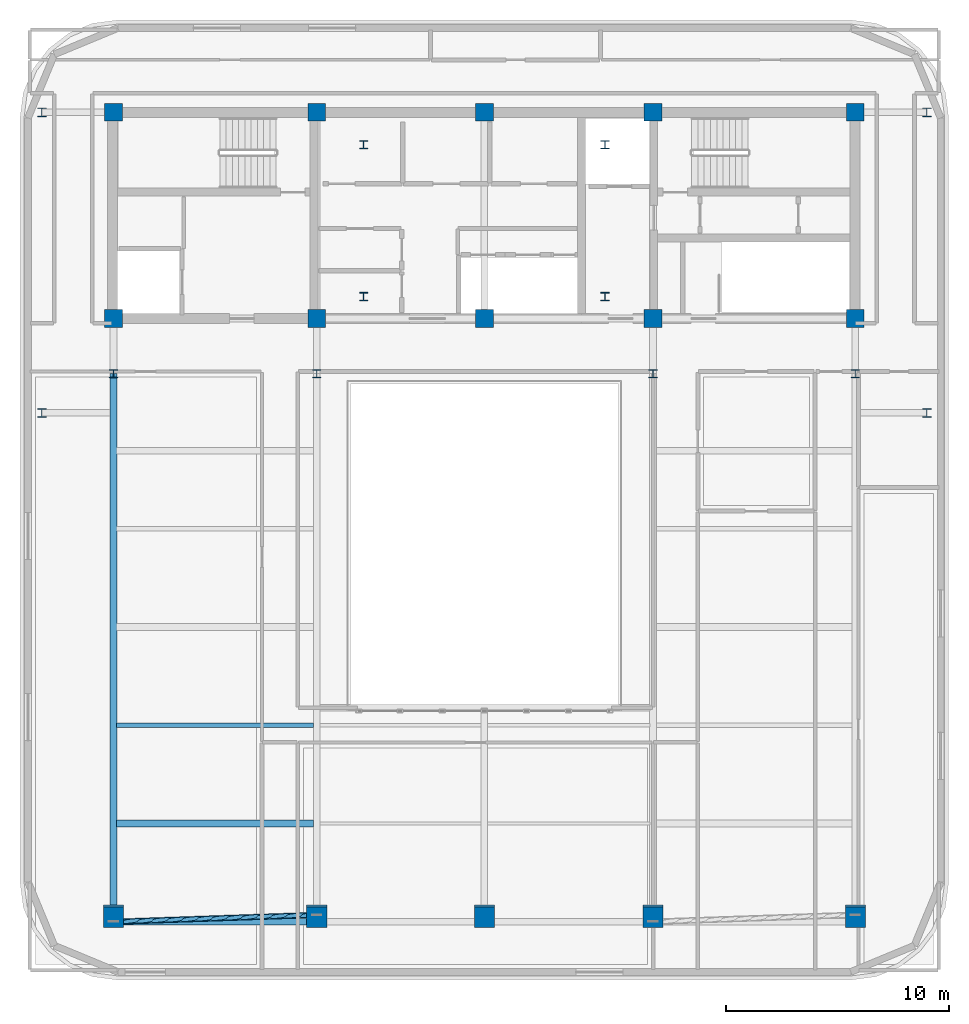
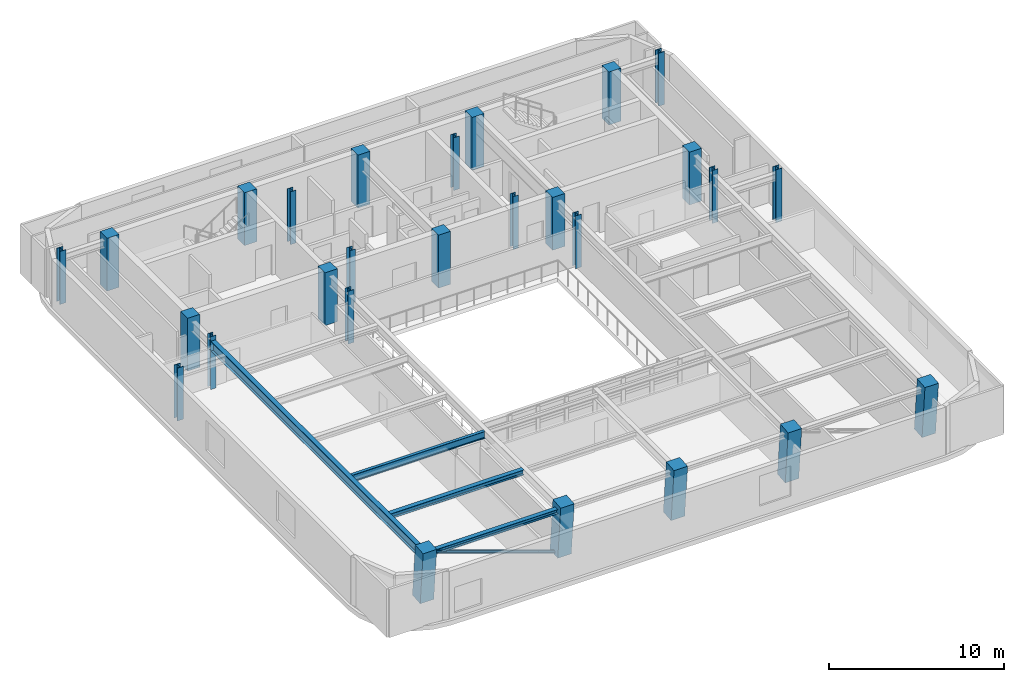
# One storey, part 1 of 11: 27 columns, 4 beams, 1 member.
"""IFC4 building model written with IfcOpenShell, lengths in metres."""

from ifc_helpers import new_model, si_unit, direction, frame, origin, origin_2d, place, context, subcontext, project, spatial, rectangle, hollow_circle, i_section, extrude, material, material_profile, profile_set, type_object, element, save


model = new_model("IFC4")

# Units and contexts
model_context = context("Model", 3, precision=1e-05, world=origin(), true_north=direction((0.0, 1.0)))
body_context = subcontext(model_context, "Body", "Model", "MODEL_VIEW")
ifc_project = project(units=[si_unit("LENGTHUNIT", "METRE"), si_unit("AREAUNIT", "SQUARE_METRE"), si_unit("VOLUMEUNIT", "CUBIC_METRE"), si_unit("PLANEANGLEUNIT", "RADIAN"), si_unit("MASSUNIT", "GRAM", prefix="KILO")], contexts=[model_context])

# Site, building, storey
site_placement = place(None, origin())
site = spatial("IfcSite", under=ifc_project, at=site_placement, CompositionType="ELEMENT")
building_placement = place(site_placement, origin())
building = spatial("IfcBuilding", under=site, at=building_placement, Name="Zarnavel Station Tower", CompositionType="ELEMENT")
storey_placement = place(building_placement, frame((0.0, 0.0, 276.89990234375)))
storey = spatial("IfcBuildingStorey", under=building, at=storey_placement, Name="L75", CompositionType="ELEMENT", Elevation=276.89990234375)

# Columns
ifc_material_1 = material(Name="Steel S355J2", Category="steel")
ifc_material_profile_1 = material_profile(ifc_material_1, i_section(OverallWidth=0.407958984375, OverallDepth=0.39990234375, WebThickness=0.02490234375, FlangeThickness=0.0390625, FilletRadius=0.014892578125, at=origin_2d()), Name="HD400x287")
ifc_profile_set_1 = profile_set([ifc_material_profile_1], Name="Steel S355J2")
column_type_1 = type_object("IfcColumnType", Name="EC_HD287", PredefinedType="COLUMN", material=ifc_profile_set_1)
for number, where, z_axis, x_axis, name in (
    (1, (9.0, 23.60009765625, 0.0), (0.0, 0.0, 1.0), (1.0, 0.0, 0.0), "L75 Inner Wing Spine Column 1-1"),
    (2, (9.0, 37.050048828125, 0.0), (0.0, 0.0, 1.0), (1.0, 0.0, 0.0), "L75 Inner Wing Spine Column 1-2"),
    (3, (48.60009765625, 23.60009765625, 0.0), (0.0, 0.0, 1.0), (1.0, 0.0, 0.0), "L75 Inner Wing Spine Column 2-1"),
    (4, (48.60009765625, 37.050048828125, 0.0), (0.0, 0.0, 1.0), (1.0, 0.0, 0.0), "L75 Inner Wing Spine Column 2-2"),
):
    element("IfcColumn", number, at=place(storey_placement, frame(where, z_axis=z_axis, x_axis=x_axis)), inside=storey, type_object=column_type_1, Name=name, PredefinedType="COLUMN", context=body_context, shape_type="SweptSolid", body=[
        extrude(i_section(OverallWidth=0.407958984375, OverallDepth=0.39990234375, WebThickness=0.02490234375, FlangeThickness=0.0390625, FilletRadius=0.014892578125, at=origin_2d()), origin(), (0.0, 0.0, 1.0), 3.7001953125),
    ])
ifc_material_2 = material(Name="Steel S355J2", Category="steel")
ifc_material_profile_2 = material_profile(ifc_material_2, i_section(OverallWidth=0.3740234375, OverallDepth=0.3720703125, WebThickness=0.0166015625, FlangeThickness=0.027099609375, FilletRadius=0.014892578125, at=origin_2d()), Name="HD360x196")
ifc_profile_set_2 = profile_set([ifc_material_profile_2], Name="Steel S355J2")
column_type_2 = type_object("IfcColumnType", Name="IC_HD196", PredefinedType="COLUMN", material=ifc_profile_set_2)
for number, where, z_axis, x_axis, name in (
    (5, (23.39990234375, 28.800048828125, 0.0), (0.0, 0.0, 1.0), (1.0, 0.0, 0.0), "L75 Mast Spine Column 1"),
    (6, (34.199951171875, 28.800048828125, 0.0), (0.0, 0.0, 1.0), (1.0, 0.0, 0.0), "L75 Mast Spine Column 2"),
    (7, (34.199951171875, 35.60009765625, 0.0), (0.0, 0.0, 1.0), (1.0, 0.0, 0.0), "L75 Mast Spine Column 3"),
    (8, (23.39990234375, 35.60009765625, 0.0), (0.0, 0.0, 1.0), (1.0, 0.0, 0.0), "L75 Mast Spine Column 4"),
    (9, (12.199951171875, 25.35009765625, 0.0), (0.0, 0.0, 1.0), (1.0, 0.0, 0.0), "L75 Inner Spine Column 1"),
    (10, (21.300048828125, 25.35009765625, 0.0), (0.0, 0.0, 1.0), (1.0, 0.0, 0.0), "L75 Inner Spine Column 2"),
    (11, (36.35009765625, 25.35009765625, 0.0), (0.0, 0.0, 1.0), (1.0, 0.0, 0.0), "L75 Inner Spine Column 4"),
    (12, (45.39990234375, 25.35009765625, 0.0), (0.0, 0.0, 1.0), (1.0, 0.0, 0.0), "L75 Inner Spine Column 5"),
):
    element("IfcColumn", number, at=place(storey_placement, frame(where, z_axis=z_axis, x_axis=x_axis)), inside=storey, type_object=column_type_2, Name=name, PredefinedType="COLUMN", context=body_context, shape_type="SweptSolid", body=[
        extrude(i_section(OverallWidth=0.3740234375, OverallDepth=0.3720703125, WebThickness=0.0166015625, FlangeThickness=0.027099609375, FilletRadius=0.014892578125, at=origin_2d()), origin(), (0.0, 0.0, 1.0), 3.7001953125),
    ])
ifc_material_3 = material(Name="Concrete C45/55", Category="concrete")
ifc_material_profile_3 = material_profile(ifc_material_3, rectangle(XDim=0.800048828125, YDim=0.800048828125, at=origin_2d()), Name="RC800x800")
ifc_profile_set_3 = profile_set([ifc_material_profile_3], Name="Concrete C45/55")
column_type_3 = type_object("IfcColumnType", Name="IC_RC800", PredefinedType="COLUMN", material=ifc_profile_set_3)
for number, where, z_axis, x_axis, name in (
    (13, (12.199951171875, 27.820068359375, 0.0), (0.0, 0.0, 1.0), (1.0, 0.0, 0.0), "L75 Core Spine Column 1-1"),
    (14, (12.199951171875, 37.050048828125, 0.0), (0.0, 0.0, 1.0), (1.0, 0.0, 0.0), "L75 Core Spine Column 1-2"),
    (15, (21.300048828125, 27.820068359375, 0.0), (0.0, 0.0, 1.0), (1.0, 0.0, 0.0), "L75 Core Spine Column 2-1"),
    (16, (21.300048828125, 37.050048828125, 0.0), (0.0, 0.0, 1.0), (1.0, 0.0, 0.0), "L75 Core Spine Column 2-2"),
    (17, (28.800048828125, 27.820068359375, 0.0), (0.0, 0.0, 1.0), (1.0, 0.0, 0.0), "L75 Core Spine Column 3-1"),
    (18, (28.800048828125, 37.050048828125, 0.0), (0.0, 0.0, 1.0), (1.0, 0.0, 0.0), "L75 Core Spine Column 3-2"),
    (19, (36.35009765625, 27.820068359375, 0.0), (0.0, 0.0, 1.0), (1.0, 0.0, 0.0), "L75 Core Spine Column 4-1"),
    (20, (36.35009765625, 37.050048828125, 0.0), (0.0, 0.0, 1.0), (1.0, 0.0, 0.0), "L75 Core Spine Column 4-2"),
    (21, (45.39990234375, 27.820068359375, 0.0), (0.0, 0.0, 1.0), (1.0, 0.0, 0.0), "L75 Core Spine Column 5-1"),
    (22, (45.39990234375, 37.050048828125, 0.0), (0.0, 0.0, 1.0), (1.0, 0.0, 0.0), "L75 Core Spine Column 5-2"),
):
    element("IfcColumn", number, at=place(storey_placement, frame(where, z_axis=z_axis, x_axis=x_axis)), inside=storey, type_object=column_type_3, Name=name, PredefinedType="COLUMN", context=body_context, shape_type="SweptSolid", body=[
        extrude(rectangle(XDim=0.800048828125, YDim=0.800048828125, at=origin_2d()), origin(), (0.0, 0.0, 1.0), 3.7001953125),
    ])
ifc_material_4 = material(Name="Concrete C50/60", Category="concrete")
ifc_material_profile_4 = material_profile(ifc_material_4, rectangle(XDim=0.89990234375, YDim=0.89990234375, at=origin_2d()), Name="RC900x900")
ifc_profile_set_4 = profile_set([ifc_material_profile_4], Name="Concrete C50/60")
column_type_4 = type_object("IfcColumnType", Name="MC_RC900", PredefinedType="COLUMN", material=ifc_profile_set_4)
for number, where, z_axis, x_axis, name in (
    (23, (12.199951171875, 1.13525390625, 0.0), (0.0, -0.090221727315, 0.99592170371), (1.0, 0.0, 0.0), "L75 Raked South Mega-Column 1"),
    (24, (21.300048828125, 1.13525390625, 0.0), (0.0, -0.090221727315, 0.99592170371), (1.0, 0.0, 0.0), "L75 Raked South Mega-Column 2"),
    (25, (28.800048828125, 1.13525390625, 0.0), (0.0, -0.090221727315, 0.99592170371), (1.0, 0.0, 0.0), "L75 Raked South Mega-Column 3"),
    (26, (36.35009765625, 1.13525390625, 0.0), (0.0, -0.090221727315, 0.99592170371), (1.0, 0.0, 0.0), "L75 Raked South Mega-Column 4"),
    (27, (45.39990234375, 1.13525390625, 0.0), (0.0, -0.090221727315, 0.99592170371), (1.0, 0.0, 0.0), "L75 Raked South Mega-Column 5"),
):
    element("IfcColumn", number, at=place(storey_placement, frame(where, z_axis=z_axis, x_axis=x_axis)), inside=storey, type_object=column_type_4, Name=name, PredefinedType="COLUMN", context=body_context, shape_type="SweptSolid", body=[
        extrude(rectangle(XDim=0.89990234375, YDim=0.89990234375, at=origin_2d()), origin(), (0.0, 0.0, 1.0), 3.71533203125),
    ])

# Member
ifc_material_5 = material(Name="Steel S355J2", Category="steel")
ifc_material_profile_5 = material_profile(ifc_material_5, hollow_circle(Radius=0.122314453125, WallThickness=0.010009765625, at=origin_2d()), Name="CHS244.5x10")
ifc_profile_set_5 = profile_set([ifc_material_profile_5], Name="Steel S355J2")
member_type = type_object("IfcMemberType", Name="DB_EXT_CHS245", PredefinedType="BRACE", material=ifc_profile_set_5)
member_placement = place(storey_placement, frame((21.300048828125, 1.13525390625, 0.0), z_axis=(-0.936956384918, -0.03152179285, 0.34802170814), x_axis=(0.033623730788, -0.999434562504, 0.0)))
element("IfcMember", 28, at=member_placement, inside=storey, type_object=member_type, Name="L75 Persian Exterior Diagonal Frame Brace 1", PredefinedType="BRACE", context=body_context, shape_type="SweptSolid", body=[
    extrude(hollow_circle(Radius=0.122314453125, WallThickness=0.010009765625, at=origin_2d()), origin(), (0.0, 0.0, 1.0), 9.71240234375),
])

# Beams
ifc_material_6 = material(Name="Steel S355J2", Category="steel")
ifc_material_profile_6 = material_profile(ifc_material_6, i_section(OverallWidth=0.300048828125, OverallDepth=0.320068359375, WebThickness=0.011474609375, FlangeThickness=0.0205078125, FilletRadius=0.027099609375, at=origin_2d()), Name="HEB320")
ifc_profile_set_6 = profile_set([ifc_material_profile_6], Name="Steel S355J2")
beam_type_1 = type_object("IfcBeamType", Name="EB_HEB320", PredefinedType="SPANDREL", material=ifc_profile_set_6)
beam_1_placement = place(storey_placement, frame((12.199951171875, 0.8291015625, 3.22021484375), z_axis=(1.0, 0.0, 0.0), x_axis=(0.0, 1.0, 0.0)))
element("IfcBeam", 29, at=beam_1_placement, inside=storey, type_object=beam_type_1, Name="L75 South Raked Spandrel 1", PredefinedType="SPANDREL", context=body_context, shape_type="SweptSolid", body=[
    extrude(i_section(OverallWidth=0.300048828125, OverallDepth=0.320068359375, WebThickness=0.011474609375, FlangeThickness=0.0205078125, FilletRadius=0.027099609375, at=origin_2d()), origin(), (0.0, 0.0, 1.0), 9.10009765625),
])
ifc_material_7 = material(Name="Steel S355J2", Category="steel")
ifc_material_profile_7 = material_profile(ifc_material_7, i_section(OverallWidth=0.300048828125, OverallDepth=0.35009765625, WebThickness=0.010009765625, FlangeThickness=0.017578125, FilletRadius=0.027099609375, at=origin_2d()), Name="HEA360")
ifc_profile_set_7 = profile_set([ifc_material_profile_7], Name="Steel S355J2")
beam_type_2 = type_object("IfcBeamType", Name="FB_HEA360", PredefinedType="BEAM", material=ifc_profile_set_7)
beam_2_placement = place(storey_placement, frame((12.344970703125, 5.22412109375, 3.205078125), z_axis=(1.0, 0.0, 0.0), x_axis=(0.0, 1.0, 0.0)))
element("IfcBeam", 30, at=beam_2_placement, inside=storey, type_object=beam_type_2, Name="L75 West Bay Beam 1", PredefinedType="BEAM", context=body_context, shape_type="SweptSolid", body=[
    extrude(i_section(OverallWidth=0.300048828125, OverallDepth=0.35009765625, WebThickness=0.010009765625, FlangeThickness=0.017578125, FilletRadius=0.027099609375, at=origin_2d()), origin(), (0.0, 0.0, 1.0), 8.81005859375),
])
ifc_material_8 = material(Name="Steel S355J2", Category="steel")
ifc_material_profile_8 = material_profile(ifc_material_8, i_section(OverallWidth=0.199951171875, OverallDepth=0.5, WebThickness=0.01025390625, FlangeThickness=0.01611328125, FilletRadius=0.02099609375, at=origin_2d()), Name="IPE500")
ifc_profile_set_8 = profile_set([ifc_material_profile_8], Name="Steel S355J2")
beam_type_3 = type_object("IfcBeamType", Name="FB_IPE500", PredefinedType="BEAM", material=ifc_profile_set_8)
beam_3_placement = place(storey_placement, frame((12.344970703125, 9.619384765625, 3.130126953125), z_axis=(1.0, 0.0, 0.0), x_axis=(0.0, 1.0, 0.0)))
element("IfcBeam", 31, at=beam_3_placement, inside=storey, type_object=beam_type_3, Name="L75 West Bay Beam 2", PredefinedType="BEAM", context=body_context, shape_type="SweptSolid", body=[
    extrude(i_section(OverallWidth=0.199951171875, OverallDepth=0.5, WebThickness=0.01025390625, FlangeThickness=0.01611328125, FilletRadius=0.02099609375, at=origin_2d()), origin(), (0.0, 0.0, 1.0), 8.81005859375),
])
ifc_material_9 = material(Name="Steel S355J2", Category="steel")
ifc_material_profile_9 = material_profile(ifc_material_9, i_section(OverallWidth=0.300048828125, OverallDepth=0.699951171875, WebThickness=0.01708984375, FlangeThickness=0.031982421875, FilletRadius=0.027099609375, at=origin_2d()), Name="HEB700")
ifc_profile_set_9 = profile_set([ifc_material_profile_9], Name="Steel S355J2")
beam_type_4 = type_object("IfcBeamType", Name="FG_HEB700", PredefinedType="USERDEFINED", material=ifc_profile_set_9)
beam_4_placement = place(storey_placement, frame((12.199951171875, 0.8291015625, 3.030029296875), z_axis=(0.0, 1.0, 0.0), x_axis=(-1.0, 0.0, 0.0)))
element("IfcBeam", 32, at=beam_4_placement, inside=storey, type_object=beam_type_4, Name="L75 South-Zone NS Girder 1", ObjectType="GIRDER", PredefinedType="USERDEFINED", context=body_context, shape_type="SweptSolid", body=[
    extrude(i_section(OverallWidth=0.300048828125, OverallDepth=0.699951171875, WebThickness=0.01708984375, FlangeThickness=0.031982421875, FilletRadius=0.027099609375, at=origin_2d()), origin(), (0.0, 0.0, 1.0), 24.52099609375),
])

save(model, "model.ifc")
